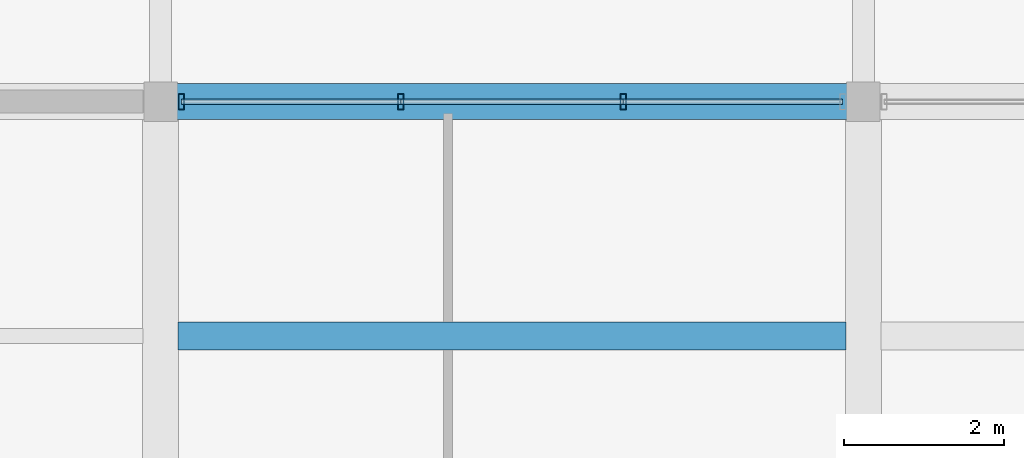
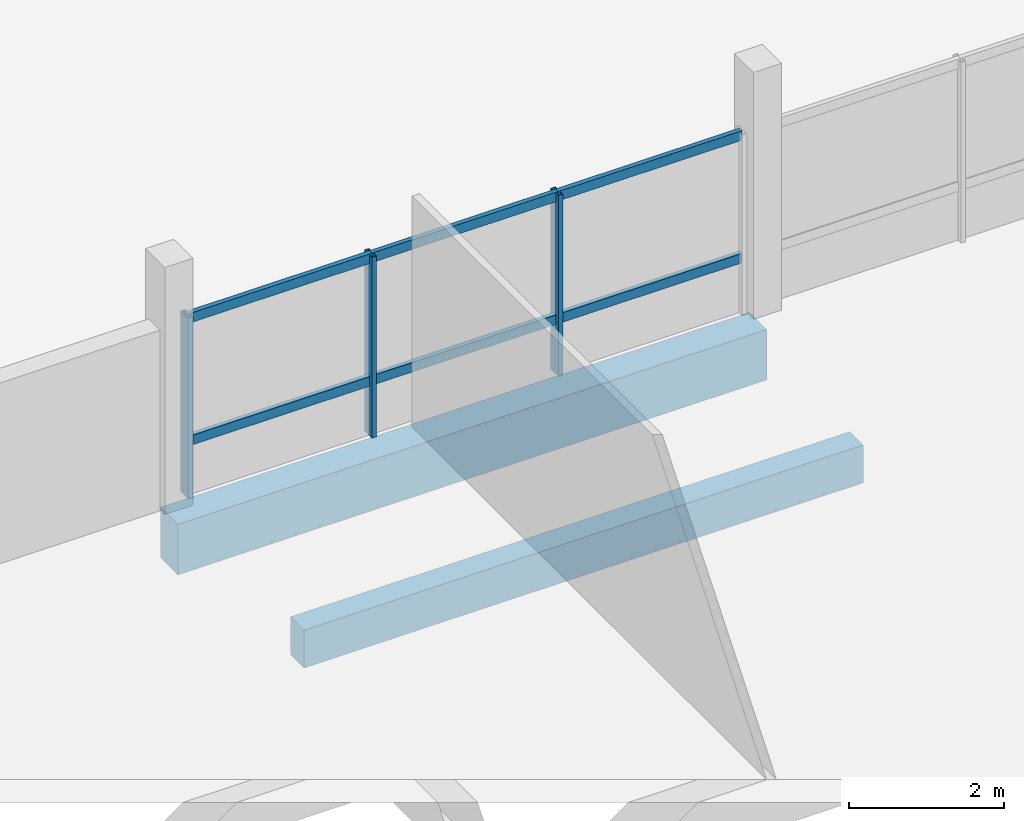
# One storey, part 43 of 62: 9 members, 2 beams, 1 element without a shape of its own.
"""IFC4 building model written with IfcOpenShell, lengths in metres."""

import ifcopenshell
import ifcopenshell.guid

model = None  # the IFC model being written
_history = None  # IfcOwnerHistory: only IFC2X3 demands one
_inside = {}  # id of a spatial element -> (the spatial element, [elements in it])
_under = {}  # id of a project, library or spatial element -> (it, [spatial elements below it])
_declared = {}  # id of a project -> (the project, [libraries it declares])
_typed = {}  # id of a type object -> (the type object, [elements of that type])
_made_of = {}  # id of a material, layer set ... -> (it, [elements and type objects made of it])


def new_model(schema):
    """Start an empty IFC model of exactly this schema.

    Asked for "IFC4X3", IfcOpenShell would pick the latest addendum, in which some entities
    have other attributes; the version numbers below select the first issue.
    IFC2X3 requires an IfcOwnerHistory on every rooted entity: one is made here for all.
    """
    global model, _history
    if schema == "IFC4X3":
        model = ifcopenshell.file(schema_version=(4, 3, 0, 0))
    else:
        model = ifcopenshell.file(schema=schema)
    _inside.clear()
    _under.clear()
    _declared.clear()
    _typed.clear()
    _made_of.clear()
    _history = None
    if model.schema == "IFC2X3":
        org = make("IfcOrganization", Name="unknown")
        user = make(
            "IfcPersonAndOrganization",
            ThePerson=make("IfcPerson", FamilyName="unknown"),
            TheOrganization=org,
        )
        app = make(
            "IfcApplication",
            ApplicationDeveloper=org,
            Version="unknown",
            ApplicationFullName="unknown",
            ApplicationIdentifier="unknown",
        )
        _history = make(
            "IfcOwnerHistory",
            OwningUser=user,
            OwningApplication=app,
            ChangeAction="ADDED",
            CreationDate=0,
        )
    return model


def make(cls, **values):
    """One entity of the class cls with the attributes given. An attribute that is None is left unset."""
    return model.create_entity(
        cls, **{name: value for name, value in values.items() if value is not None}
    )


def rooted(cls, **values):
    """An entity with a GlobalId (a new one), such as an element, a storey or a relation."""
    return make(cls, GlobalId=ifcopenshell.guid.new(), OwnerHistory=_history, **values)


def si_unit(unit_type, name, prefix=None):
    """IfcSIUnit, for example si_unit("LENGTHUNIT", "METRE", prefix="MILLI")."""
    return make("IfcSIUnit", UnitType=unit_type, Prefix=prefix, Name=name)


def assignment(units):
    """IfcUnitAssignment: the units of a project."""
    return None if units is None else make("IfcUnitAssignment", Units=units)


def point(xyz):
    """IfcCartesianPoint."""
    return None if xyz is None else make("IfcCartesianPoint", Coordinates=xyz)


def direction(xyz):
    """IfcDirection."""
    return None if xyz is None else make("IfcDirection", DirectionRatios=xyz)


def frame(location, z_axis=None, x_axis=None):
    """IfcAxis2Placement3D, a coordinate frame: its origin and axes. An axis left out is left unset."""
    return make(
        "IfcAxis2Placement3D",
        Location=point(location),
        Axis=direction(z_axis),
        RefDirection=direction(x_axis),
    )


def frame_2d(location, x_axis=None):
    """IfcAxis2Placement2D, a coordinate frame in the plane: its origin and x axis."""
    return make(
        "IfcAxis2Placement2D", Location=point(location), RefDirection=direction(x_axis)
    )


def origin():
    """The frame at (0, 0, 0) with its axes left unset."""
    return frame((0.0, 0.0, 0.0))


def origin_2d():
    """The frame at (0, 0) in the plane with its x axis left unset."""
    return frame_2d((0.0, 0.0))


def place(relative_to, where):
    """IfcLocalPlacement: puts the frame where relative to a parent placement (None: the world)."""
    return make(
        "IfcLocalPlacement", PlacementRelTo=relative_to, RelativePlacement=where
    )


def context(
    kind, dimensions, precision=None, world=None, true_north=None, identifier=None
):
    """IfcGeometricRepresentationContext, for example the 3D "Model" context."""
    return make(
        "IfcGeometricRepresentationContext",
        ContextIdentifier=identifier,
        ContextType=kind,
        CoordinateSpaceDimension=dimensions,
        Precision=precision,
        WorldCoordinateSystem=world,
        TrueNorth=true_north,
    )


def subcontext(parent, identifier, kind, view, scale=None):
    """IfcGeometricRepresentationSubContext, for example "Body" below "Model"."""
    return make(
        "IfcGeometricRepresentationSubContext",
        ContextIdentifier=identifier,
        ContextType=kind,
        ParentContext=parent,
        TargetScale=scale,
        TargetView=view,
    )


def project(units=None, contexts=None):
    """IfcProject with its units and contexts."""
    return rooted(
        "IfcProject",
        Name="project",
        RepresentationContexts=contexts,
        UnitsInContext=assignment(units),
    )


def spatial(cls, under=None, at=None, **own):
    """A site, building, storey or space (cls), placed at a placement, below another one or the project."""
    s = rooted(cls, ObjectPlacement=at, **own)
    if under is not None:
        _under.setdefault(under.id(), (under, []))[1].append(s)
    return s


def profile(cls, at=None, kind="AREA", **sizes):
    """A parametric profile (cls). Its sizes go by their IFC names, for example OverallWidth=200.0."""
    return make(cls, ProfileType=kind, Position=at, **sizes)


def rectangle(**sizes):
    """IfcRectangleProfileDef."""
    return profile("IfcRectangleProfileDef", **sizes)


def hollow_rectangle(**sizes):
    """IfcRectangleHollowProfileDef."""
    return profile("IfcRectangleHollowProfileDef", **sizes)


def extrude(swept, where, along, depth):
    """IfcExtrudedAreaSolid: the profile swept, set in the frame where, extruded along a direction by depth."""
    return make(
        "IfcExtrudedAreaSolid",
        SweptArea=swept,
        Position=where,
        ExtrudedDirection=direction(along),
        Depth=depth,
    )


def shape(context_of_items, identifier, shape_type, items):
    """IfcShapeRepresentation: the items that make up one representation, for example the "Body"."""
    return make(
        "IfcShapeRepresentation",
        ContextOfItems=context_of_items,
        RepresentationIdentifier=identifier,
        RepresentationType=shape_type,
        Items=items,
    )


def material(Name=None, Category=None):
    """IfcMaterial."""
    return make("IfcMaterial", Name=Name, Category=Category)


def layer(
    of_material, thickness, ventilated=None, Name=None, Category=None, Priority=None
):
    """IfcMaterialLayer: one layer of a wall or slab, of a material (None: an air gap)."""
    return make(
        "IfcMaterialLayer",
        Material=of_material,
        LayerThickness=thickness,
        IsVentilated=ventilated,
        Name=Name,
        Category=Category,
        Priority=Priority,
    )


def layer_set(layers, Name=None):
    """IfcMaterialLayerSet."""
    return make("IfcMaterialLayerSet", MaterialLayers=layers, LayerSetName=Name)


def material_profile(
    of_material, cross_section, Name=None, Category=None, Priority=None
):
    """IfcMaterialProfile: a cross section and its material."""
    return make(
        "IfcMaterialProfile",
        Name=Name,
        Material=of_material,
        Profile=cross_section,
        Priority=Priority,
        Category=Category,
    )


def profile_set(profiles, Name=None, composite=None):
    """IfcMaterialProfileSet."""
    return make(
        "IfcMaterialProfileSet",
        Name=Name,
        MaterialProfiles=profiles,
        CompositeProfile=composite,
    )


def made_of(thing, what):
    """Note that an element or type object is made of a material, layer set ...; save() writes the relation."""
    if what is not None:
        _made_of.setdefault(what.id(), (what, []))[1].append(thing)
    return thing


def type_object(cls, material=None, **own):
    """A type object (cls), such as IfcWallType, which elements share."""
    return made_of(rooted(cls, **own), material)


def element(
    cls,
    number,
    at=None,
    inside=None,
    cuts=None,
    type_object=None,
    material=None,
    context=None,
    identifier="Body",
    shape_type=None,
    held_by="IfcProductDefinitionShape",
    body=None,
    shapes=None,
    **own,
):
    """One element of the class cls, such as IfcWall. Its Tag is "e" and its number.

    at: its placement. inside: the storey or other place that contains it. cuts: it is an
    opening in that element (IfcRelVoidsElement). A single representation is given by context,
    identifier, shape_type and body (its items); several are given by shapes. held_by: the class
    of the entity that holds the representations. save() writes the other relations.
    """
    e = rooted(cls, Tag="e%d" % number, ObjectPlacement=at, **own)
    if body is not None:
        shapes = [shape(context, identifier, shape_type, body)]
    if shapes is not None:
        e.Representation = make(held_by, Representations=shapes)
    if inside is not None:
        _inside.setdefault(inside.id(), (inside, []))[1].append(e)
    if cuts is not None:
        rooted(
            "IfcRelVoidsElement", RelatingBuildingElement=cuts, RelatedOpeningElement=e
        )
    if type_object is not None:
        _typed.setdefault(type_object.id(), (type_object, []))[1].append(e)
    return made_of(e, material)


def aggregate(whole, parts):
    """IfcRelAggregates: a whole, such as a stair, and the parts it consists of."""
    return rooted("IfcRelAggregates", RelatingObject=whole, RelatedObjects=parts)


def save(model, path):
    """Write the relations noted so far, then the file.

    IfcRelAggregates (storeys below a building ...), IfcRelContainedInSpatialStructure (elements
    in a storey), IfcRelDefinesByType, IfcRelAssociatesMaterial and IfcRelDeclares: one each for
    every whole, place, type object, material and project.
    """
    for whole, parts in _under.values():
        aggregate(whole, parts)
    for where, things in _inside.values():
        rooted(
            "IfcRelContainedInSpatialStructure",
            RelatedElements=things,
            RelatingStructure=where,
        )
    for kind, things in _typed.values():
        rooted("IfcRelDefinesByType", RelatedObjects=things, RelatingType=kind)
    for what, things in _made_of.values():
        rooted("IfcRelAssociatesMaterial", RelatedObjects=things, RelatingMaterial=what)
    for by, libraries in _declared.values():
        rooted("IfcRelDeclares", RelatingContext=by, RelatedDefinitions=libraries)
    model.write(path)


model = new_model("IFC4")

# Units and contexts
model_context = context("Model", 3, precision=1e-05, world=origin(), true_north=direction((0.0, 1.0)))
body_context = subcontext(model_context, "Body", "Model", "MODEL_VIEW")
ifc_project = project(units=[si_unit("LENGTHUNIT", "METRE"), si_unit("AREAUNIT", "SQUARE_METRE"), si_unit("VOLUMEUNIT", "CUBIC_METRE"), si_unit("PLANEANGLEUNIT", "RADIAN"), si_unit("MASSUNIT", "GRAM", prefix="KILO")], contexts=[model_context])

# Site, building, storey
site_placement = place(None, origin())
site = spatial("IfcSite", under=ifc_project, at=site_placement, CompositionType="ELEMENT")
building_placement = place(site_placement, origin())
building = spatial("IfcBuilding", under=site, at=building_placement, Name="Meriwether Solvik Hall", CompositionType="ELEMENT")
storey_placement = place(building_placement, frame((0.0, 0.0, 14.39990234375)))
storey = spatial("IfcBuildingStorey", under=building, at=storey_placement, Name="L03", CompositionType="ELEMENT", Elevation=14.39990234375)

# Beams
ifc_material_1 = material(Name="Concrete C40/50", Category="concrete")
ifc_material_profile_1 = material_profile(ifc_material_1, rectangle(XDim=0.35009765625, YDim=0.60009765625, at=origin_2d()), Name="RCB-350X600")
ifc_profile_set_1 = profile_set([ifc_material_profile_1], Name="Concrete C40/50")
beam_type_1 = type_object("IfcBeamType", Name="BM-RC-350X600", PredefinedType="JOIST", material=ifc_profile_set_1)
beam_1_placement = place(storey_placement, frame((132.02001953125, 89.86669921875, -0.544921875), z_axis=(1.0, 0.0, 0.0), x_axis=(0.0, 1.0, 0.0)))
element("IfcBeam", 1, at=beam_1_placement, inside=storey, type_object=beam_type_1, Name="Secondary Floor Joist 15/J_J2 (L03)", PredefinedType="JOIST", context=body_context, shape_type="SweptSolid", body=[
    extrude(rectangle(XDim=0.35009765625, YDim=0.60009765625, at=origin_2d()), origin(), (0.0, 0.0, 1.0), 8.35986328125),
])
ifc_material_2 = material(Name="Concrete C40/50", Category="concrete")
ifc_material_profile_2 = material_profile(ifc_material_2, rectangle(XDim=0.449951171875, YDim=0.800048828125, at=origin_2d()), Name="RCB-450X800")
ifc_profile_set_2 = profile_set([ifc_material_profile_2], Name="Concrete C40/50")
beam_type_2 = type_object("IfcBeamType", Name="BM-RC-450X800", PredefinedType="BEAM", material=ifc_profile_set_2)
beam_2_placement = place(storey_placement, frame((131.800048828125, 92.800048828125, -0.64501953125), z_axis=(1.0, 0.0, 0.0), x_axis=(0.0, 1.0, 0.0)))
element("IfcBeam", 2, at=beam_2_placement, inside=storey, type_object=beam_type_2, Name="Podium Girder K:15-16 (L03)", PredefinedType="BEAM", context=body_context, shape_type="SweptSolid", body=[
    extrude(rectangle(XDim=0.449951171875, YDim=0.800048828125, at=origin_2d()), origin(), (0.0, 0.0, 1.0), 8.800048828125),
])

# Curtain wall, members
ifc_material_3 = material(Name="Thermally Broken Anodised Aluminium 6063-T6 and Low-E Glass", Category="aluminium")
ifc_layer = layer(ifc_material_3, 0.179931640625)
ifc_layer_set = layer_set([ifc_layer], Name="Thermally Broken Anodised Aluminium 6063-T6 and Low-E Glass")
curtain_wall_type = type_object("IfcCurtainWallType", Name="CW-UNIT-E", PredefinedType="USERDEFINED", material=ifc_layer_set)
curtain_wall_placement = place(storey_placement, origin())
curtain_wall = element("IfcCurtainWall", 3, at=curtain_wall_placement, inside=storey, type_object=curtain_wall_type, Name="Curtain Wall wing_XK_15_20 (L03)", ObjectType="UNITISED CURTAIN WALL", PredefinedType="USERDEFINED")
ifc_material_4 = material(Name="Anodised Aluminium 6063-T6", Category="aluminium")
ifc_material_profile_3 = material_profile(ifc_material_4, hollow_rectangle(XDim=0.070068359375, YDim=0.199951171875, WallThickness=0.0048828125, at=origin_2d()), Name="CWM-70X200")
ifc_profile_set_3 = profile_set([ifc_material_profile_3], Name="Anodised Aluminium 6063-T6")
member_type_1 = type_object("IfcMemberType", Name="CW-MUL-70X200", PredefinedType="MULLION", material=ifc_profile_set_3)
member_1_placement = place(storey_placement, frame((132.06005859375, 92.800048828125, 0.0), z_axis=(0.0, 0.0, 1.0), x_axis=(1.0, 0.0, 0.0)))
member_1 = element("IfcMember", 4, at=member_1_placement, type_object=member_type_1, Name="Curtain Wall Mullion 1", PredefinedType="MULLION", context=body_context, shape_type="SweptSolid", body=[
    extrude(hollow_rectangle(XDim=0.070068359375, YDim=0.199951171875, WallThickness=0.0048828125, at=origin_2d()), origin(), (0.0, 0.0, 1.0), 2.85498046875),
])
member_2_placement = place(storey_placement, frame((134.807373046875, 92.800048828125, 0.0), z_axis=(0.0, 0.0, 1.0), x_axis=(1.0, 0.0, 0.0)))
member_2 = element("IfcMember", 5, at=member_2_placement, type_object=member_type_1, Name="Curtain Wall Mullion 2", PredefinedType="MULLION", context=body_context, shape_type="SweptSolid", body=[
    extrude(hollow_rectangle(XDim=0.070068359375, YDim=0.199951171875, WallThickness=0.0048828125, at=origin_2d()), origin(), (0.0, 0.0, 1.0), 2.85498046875),
])
member_3_placement = place(storey_placement, frame((137.5927734375, 92.800048828125, 0.0), z_axis=(0.0, 0.0, 1.0), x_axis=(1.0, 0.0, 0.0)))
member_3 = element("IfcMember", 6, at=member_3_placement, type_object=member_type_1, Name="Curtain Wall Mullion 3", PredefinedType="MULLION", context=body_context, shape_type="SweptSolid", body=[
    extrude(hollow_rectangle(XDim=0.070068359375, YDim=0.199951171875, WallThickness=0.0048828125, at=origin_2d()), origin(), (0.0, 0.0, 1.0), 2.85498046875),
])
ifc_material_5 = material(Name="Anodised Aluminium 6063-T6", Category="aluminium")
ifc_material_profile_4 = material_profile(ifc_material_5, hollow_rectangle(XDim=0.070068359375, YDim=0.14990234375, WallThickness=0.0048828125, at=origin_2d()), Name="CWT-70X150")
ifc_profile_set_4 = profile_set([ifc_material_profile_4], Name="Anodised Aluminium 6063-T6")
member_type_2 = type_object("IfcMemberType", Name="CW-TRN-70X150", PredefinedType="USERDEFINED", material=ifc_profile_set_4)
member_4_placement = place(storey_placement, frame((132.06005859375, 92.800048828125, 0.856689453125), z_axis=(1.0, 0.0, 0.0), x_axis=(0.0, 1.0, 0.0)))
member_4 = element("IfcMember", 7, at=member_4_placement, type_object=member_type_2, Name="Curtain Wall Transom 1-sill", ObjectType="TRANSOM", PredefinedType="USERDEFINED", context=body_context, shape_type="SweptSolid", body=[
    extrude(hollow_rectangle(XDim=0.070068359375, YDim=0.14990234375, WallThickness=0.0048828125, at=origin_2d()), origin(), (0.0, 0.0, 1.0), 2.747314453125),
])
member_5_placement = place(storey_placement, frame((132.06005859375, 92.800048828125, 2.795166015625), z_axis=(1.0, 0.0, 0.0), x_axis=(0.0, 1.0, 0.0)))
member_5 = element("IfcMember", 8, at=member_5_placement, type_object=member_type_2, Name="Curtain Wall Transom 1-head", ObjectType="TRANSOM", PredefinedType="USERDEFINED", context=body_context, shape_type="SweptSolid", body=[
    extrude(hollow_rectangle(XDim=0.070068359375, YDim=0.14990234375, WallThickness=0.0048828125, at=origin_2d()), origin(), (0.0, 0.0, 1.0), 2.747314453125),
])
member_6_placement = place(storey_placement, frame((134.807373046875, 92.800048828125, 0.856689453125), z_axis=(1.0, 0.0, 0.0), x_axis=(0.0, 1.0, 0.0)))
member_6 = element("IfcMember", 9, at=member_6_placement, type_object=member_type_2, Name="Curtain Wall Transom 2-sill", ObjectType="TRANSOM", PredefinedType="USERDEFINED", context=body_context, shape_type="SweptSolid", body=[
    extrude(hollow_rectangle(XDim=0.070068359375, YDim=0.14990234375, WallThickness=0.0048828125, at=origin_2d()), origin(), (0.0, 0.0, 1.0), 2.785400390625),
])
member_7_placement = place(storey_placement, frame((134.807373046875, 92.800048828125, 2.795166015625), z_axis=(1.0, 0.0, 0.0), x_axis=(0.0, 1.0, 0.0)))
member_7 = element("IfcMember", 10, at=member_7_placement, type_object=member_type_2, Name="Curtain Wall Transom 2-head", ObjectType="TRANSOM", PredefinedType="USERDEFINED", context=body_context, shape_type="SweptSolid", body=[
    extrude(hollow_rectangle(XDim=0.070068359375, YDim=0.14990234375, WallThickness=0.0048828125, at=origin_2d()), origin(), (0.0, 0.0, 1.0), 2.785400390625),
])
member_8_placement = place(storey_placement, frame((137.5927734375, 92.800048828125, 0.856689453125), z_axis=(1.0, 0.0, 0.0), x_axis=(0.0, 1.0, 0.0)))
member_8 = element("IfcMember", 11, at=member_8_placement, type_object=member_type_2, Name="Curtain Wall Transom 3-sill", ObjectType="TRANSOM", PredefinedType="USERDEFINED", context=body_context, shape_type="SweptSolid", body=[
    extrude(hollow_rectangle(XDim=0.070068359375, YDim=0.14990234375, WallThickness=0.0048828125, at=origin_2d()), origin(), (0.0, 0.0, 1.0), 2.747314453125),
])
member_9_placement = place(storey_placement, frame((137.5927734375, 92.800048828125, 2.795166015625), z_axis=(1.0, 0.0, 0.0), x_axis=(0.0, 1.0, 0.0)))
member_9 = element("IfcMember", 12, at=member_9_placement, type_object=member_type_2, Name="Curtain Wall Transom 3-head", ObjectType="TRANSOM", PredefinedType="USERDEFINED", context=body_context, shape_type="SweptSolid", body=[
    extrude(hollow_rectangle(XDim=0.070068359375, YDim=0.14990234375, WallThickness=0.0048828125, at=origin_2d()), origin(), (0.0, 0.0, 1.0), 2.747314453125),
])
aggregate(curtain_wall, [member_1, member_2, member_3, member_4, member_5, member_6, member_7, member_8, member_9])

save(model, "model.ifc")
